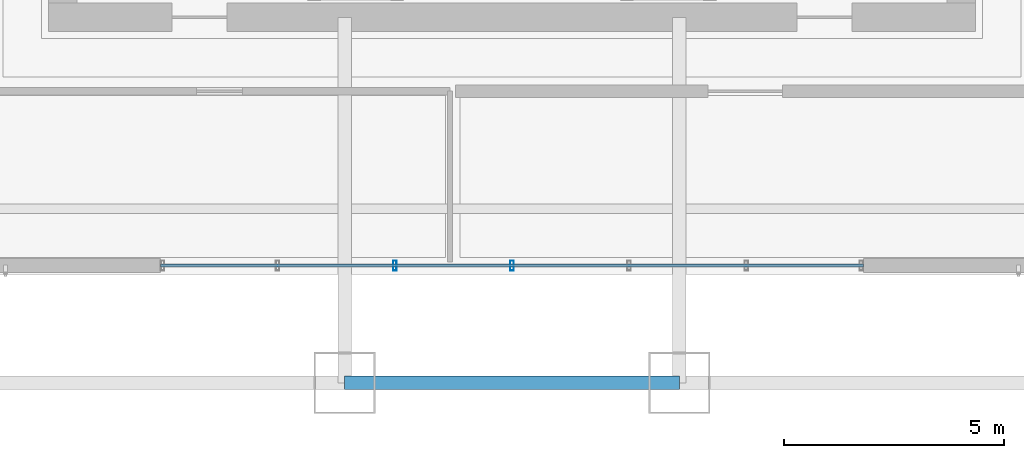
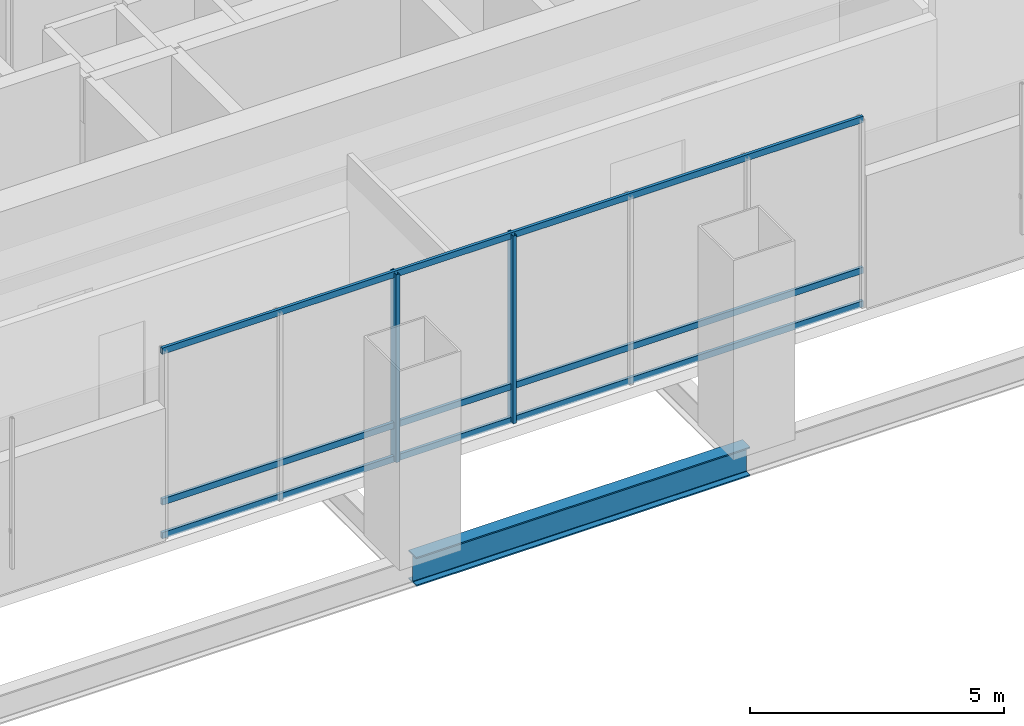
# One storey, part 3 of 30: 5 members, 1 beam, 1 element without a shape of its own.
"""IFC4 building model written with IfcOpenShell, lengths in metres."""

from ifc_helpers import new_model, si_unit, direction, frame, origin, origin_2d, place, context, subcontext, project, spatial, hollow_rectangle, i_section, extrude, material, material_profile, profile_set, type_object, element, aggregate, save


model = new_model("IFC4")

# Units and contexts
model_context = context("Model", 3, precision=1e-05, world=origin(), true_north=direction((0.0, 1.0)))
body_context = subcontext(model_context, "Body", "Model", "MODEL_VIEW")
ifc_project = project(units=[si_unit("LENGTHUNIT", "METRE"), si_unit("AREAUNIT", "SQUARE_METRE"), si_unit("VOLUMEUNIT", "CUBIC_METRE"), si_unit("PLANEANGLEUNIT", "RADIAN"), si_unit("MASSUNIT", "GRAM", prefix="KILO")], contexts=[model_context])

# Site, building, storey
site_placement = place(None, origin())
site = spatial("IfcSite", under=ifc_project, at=site_placement, CompositionType="ELEMENT")
building_placement = place(site_placement, origin())
building = spatial("IfcBuilding", under=site, at=building_placement, Name="Punatoya Terracotta Tower", CompositionType="ELEMENT")
storey_placement = place(building_placement, frame((0.0, 0.0, 135.0)))
storey = spatial("IfcBuildingStorey", under=building, at=storey_placement, Name="L31", CompositionType="ELEMENT", Elevation=135.0)

# Beam
ifc_material_1 = material(Name="Steel S355", Category="steel")
ifc_material_profile_1 = material_profile(ifc_material_1, i_section(OverallWidth=0.300048828125, OverallDepth=0.699951171875, WebThickness=0.01708984375, FlangeThickness=0.031982421875, FilletRadius=0.01806640625, at=origin_2d()))
ifc_profile_set_1 = profile_set([ifc_material_profile_1], Name="Steel S355")
beam_type = type_object("IfcBeamType", Name="BM-PRI-700", PredefinedType="BEAM", material=ifc_profile_set_1)
beam_placement = place(storey_placement, frame((-3.800048828125, -17.5, -0.610107421875), z_axis=(1.0, 0.0, 0.0), x_axis=(0.0, 1.0, 0.0)))
element("IfcBeam", 1, at=beam_placement, inside=storey, type_object=beam_type, Name="BM-L31-RG-S2", PredefinedType="BEAM", context=body_context, shape_type="SweptSolid", body=[
    extrude(i_section(OverallWidth=0.300048828125, OverallDepth=0.699951171875, WebThickness=0.01708984375, FlangeThickness=0.031982421875, FilletRadius=0.01806640625, at=origin_2d()), origin(), (0.0, 0.0, 1.0), 7.60009765625),
])

# Curtain wall, members
ifc_material_2 = material(Name="Aluminium 6063-T6 + Double Low-E Glass", Category="aluminium")
curtain_wall_type = type_object("IfcCurtainWallType", Name="CW-NCK", PredefinedType="NOTDEFINED", material=ifc_material_2)
curtain_wall_placement = place(storey_placement, origin())
curtain_wall = element("IfcCurtainWall", 2, at=curtain_wall_placement, inside=storey, type_object=curtain_wall_type, Name="L31 Curtain Wall CW-L31-S01-1", PredefinedType="NOTDEFINED")
ifc_material_3 = material(Name="Aluminium 6063-T6", Category="aluminium")
ifc_material_profile_2 = material_profile(ifc_material_3, hollow_rectangle(XDim=0.080078125, YDim=0.22509765625, WallThickness=0.0048828125, at=origin_2d()))
ifc_profile_set_2 = profile_set([ifc_material_profile_2], Name="Aluminium 6063-T6")
member_type_1 = type_object("IfcMemberType", Name="CW-MUL-NCK", PredefinedType="MULLION", material=ifc_profile_set_2)
member_1_placement = place(storey_placement, frame((-2.659912109375, -14.840087890625, 0.0), z_axis=(0.0, 0.0, 1.0), x_axis=(1.0, 0.0, 0.0)))
member_1 = element("IfcMember", 3, at=member_1_placement, type_object=member_type_1, Name="CW-L31-S01-1 Mullion 02", PredefinedType="MULLION", context=body_context, shape_type="SweptSolid", body=[
    extrude(hollow_rectangle(XDim=0.080078125, YDim=0.22509765625, WallThickness=0.0048828125, at=origin_2d()), origin(), (0.0, 0.0, 1.0), 4.52001953125),
])
member_2_placement = place(storey_placement, frame((0.0, -14.840087890625, 0.0), z_axis=(0.0, 0.0, 1.0), x_axis=(1.0, 0.0, 0.0)))
member_2 = element("IfcMember", 4, at=member_2_placement, type_object=member_type_1, Name="CW-L31-S01-1 Mullion 03", PredefinedType="MULLION", context=body_context, shape_type="SweptSolid", body=[
    extrude(hollow_rectangle(XDim=0.080078125, YDim=0.22509765625, WallThickness=0.0048828125, at=origin_2d()), origin(), (0.0, 0.0, 1.0), 4.52001953125),
])
ifc_material_profile_3 = material_profile(ifc_material_3, hollow_rectangle(XDim=0.068115234375, YDim=0.14990234375, WallThickness=0.00390625, at=origin_2d()))
ifc_profile_set_3 = profile_set([ifc_material_profile_3], Name="Aluminium 6063-T6")
member_type_2 = type_object("IfcMemberType", Name="CW-TRN-TYP", PredefinedType="USERDEFINED", material=ifc_profile_set_3)
member_3_placement = place(storey_placement, frame((-7.97998046875, -14.840087890625, 0.0400390625), z_axis=(1.0, 0.0, 0.0), x_axis=(0.0, 1.0, 0.0)))
member_3 = element("IfcMember", 5, at=member_3_placement, type_object=member_type_2, Name="CW-L31-S01-1 Transom 1", ObjectType="TRANSOM", PredefinedType="USERDEFINED", context=body_context, shape_type="SweptSolid", body=[
    extrude(hollow_rectangle(XDim=0.068115234375, YDim=0.14990234375, WallThickness=0.00390625, at=origin_2d()), origin(), (0.0, 0.0, 1.0), 15.9599609375),
])
member_4_placement = place(storey_placement, frame((-7.97998046875, -14.840087890625, 0.85009765625), z_axis=(1.0, 0.0, 0.0), x_axis=(0.0, 1.0, 0.0)))
member_4 = element("IfcMember", 6, at=member_4_placement, type_object=member_type_2, Name="CW-L31-S01-1 Transom 2", ObjectType="TRANSOM", PredefinedType="USERDEFINED", context=body_context, shape_type="SweptSolid", body=[
    extrude(hollow_rectangle(XDim=0.068115234375, YDim=0.14990234375, WallThickness=0.00390625, at=origin_2d()), origin(), (0.0, 0.0, 1.0), 15.9599609375),
])
member_5_placement = place(storey_placement, frame((-7.97998046875, -14.840087890625, 4.47998046875), z_axis=(1.0, 0.0, 0.0), x_axis=(0.0, 1.0, 0.0)))
member_5 = element("IfcMember", 7, at=member_5_placement, type_object=member_type_2, Name="CW-L31-S01-1 Transom 3", ObjectType="TRANSOM", PredefinedType="USERDEFINED", context=body_context, shape_type="SweptSolid", body=[
    extrude(hollow_rectangle(XDim=0.068115234375, YDim=0.14990234375, WallThickness=0.00390625, at=origin_2d()), origin(), (0.0, 0.0, 1.0), 15.9599609375),
])
aggregate(curtain_wall, [member_1, member_2, member_3, member_4, member_5])

save(model, "model.ifc")
